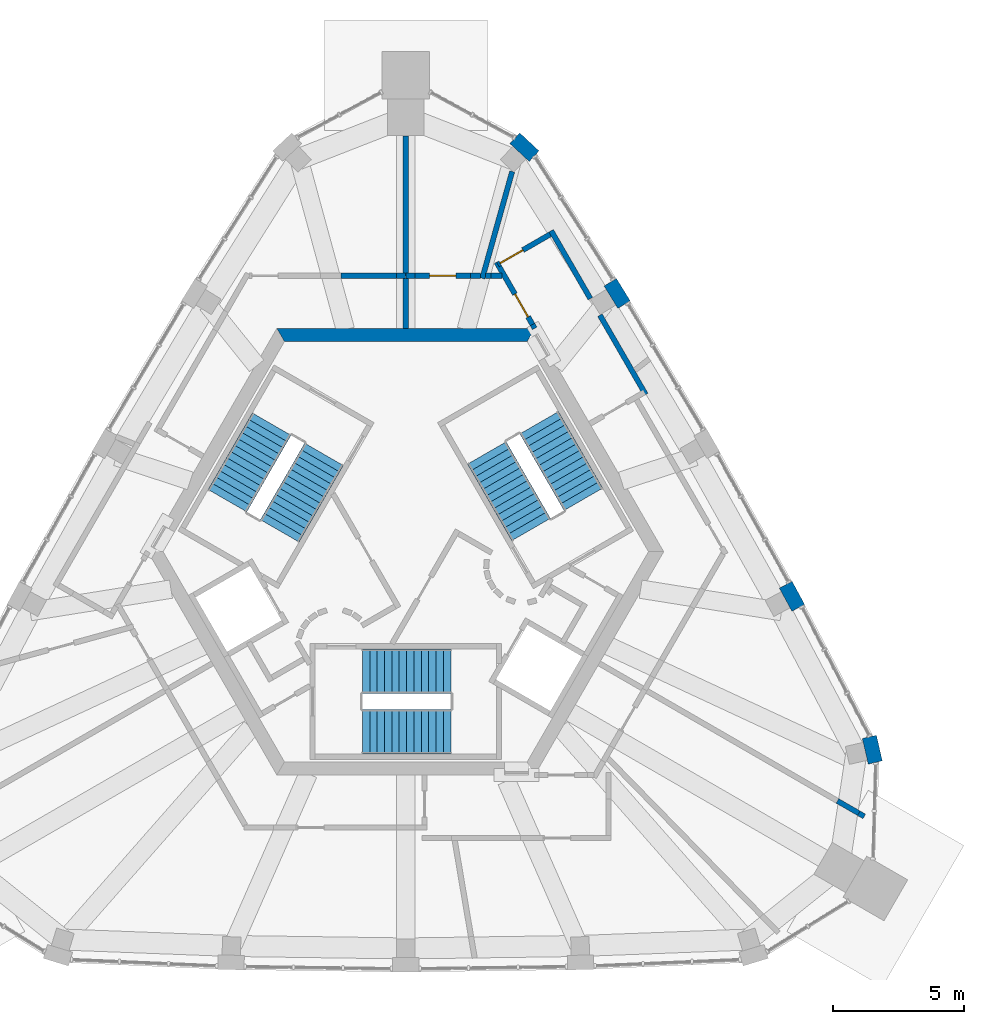
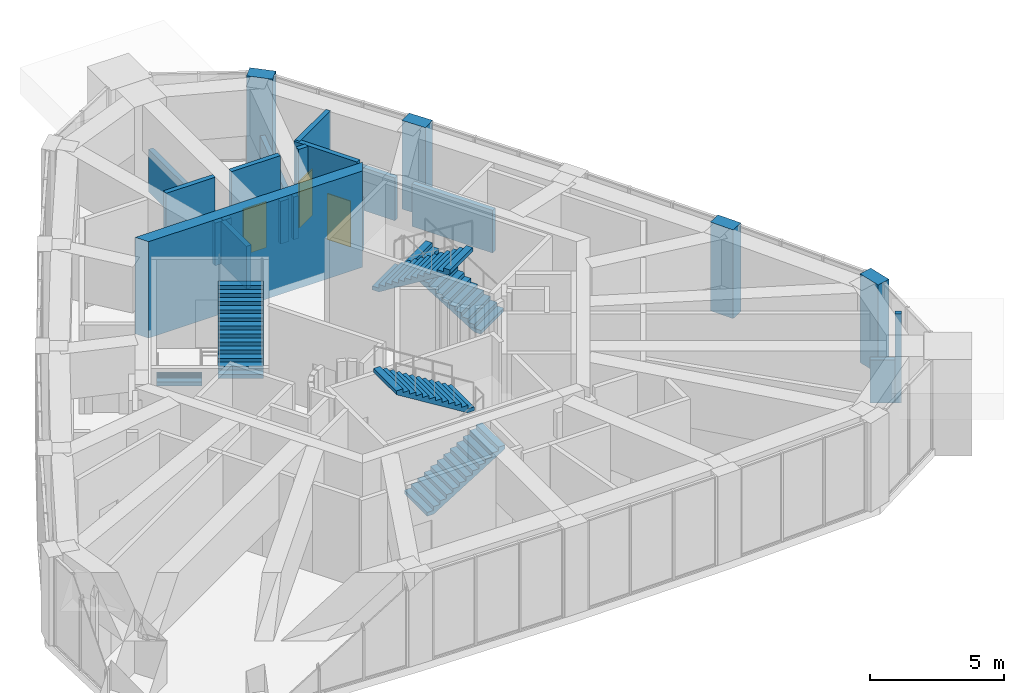
# One storey, part 10 of 11: 22 walls, 6 stair flights, 3 doors, 3 openings, 3 elements without a shape of their own.
"""IFC4 building model written with IfcOpenShell, lengths in metres."""

import ifcopenshell
import ifcopenshell.guid

model = None  # the IFC model being written
_history = None  # IfcOwnerHistory: only IFC2X3 demands one
_inside = {}  # id of a spatial element -> (the spatial element, [elements in it])
_under = {}  # id of a project, library or spatial element -> (it, [spatial elements below it])
_declared = {}  # id of a project -> (the project, [libraries it declares])
_typed = {}  # id of a type object -> (the type object, [elements of that type])
_made_of = {}  # id of a material, layer set ... -> (it, [elements and type objects made of it])


def new_model(schema):
    """Start an empty IFC model of exactly this schema.

    Asked for "IFC4X3", IfcOpenShell would pick the latest addendum, in which some entities
    have other attributes; the version numbers below select the first issue.
    IFC2X3 requires an IfcOwnerHistory on every rooted entity: one is made here for all.
    """
    global model, _history
    if schema == "IFC4X3":
        model = ifcopenshell.file(schema_version=(4, 3, 0, 0))
    else:
        model = ifcopenshell.file(schema=schema)
    _inside.clear()
    _under.clear()
    _declared.clear()
    _typed.clear()
    _made_of.clear()
    _history = None
    if model.schema == "IFC2X3":
        org = make("IfcOrganization", Name="unknown")
        user = make(
            "IfcPersonAndOrganization",
            ThePerson=make("IfcPerson", FamilyName="unknown"),
            TheOrganization=org,
        )
        app = make(
            "IfcApplication",
            ApplicationDeveloper=org,
            Version="unknown",
            ApplicationFullName="unknown",
            ApplicationIdentifier="unknown",
        )
        _history = make(
            "IfcOwnerHistory",
            OwningUser=user,
            OwningApplication=app,
            ChangeAction="ADDED",
            CreationDate=0,
        )
    return model


def make(cls, **values):
    """One entity of the class cls with the attributes given. An attribute that is None is left unset."""
    return model.create_entity(
        cls, **{name: value for name, value in values.items() if value is not None}
    )


def rooted(cls, **values):
    """An entity with a GlobalId (a new one), such as an element, a storey or a relation."""
    return make(cls, GlobalId=ifcopenshell.guid.new(), OwnerHistory=_history, **values)


def si_unit(unit_type, name, prefix=None):
    """IfcSIUnit, for example si_unit("LENGTHUNIT", "METRE", prefix="MILLI")."""
    return make("IfcSIUnit", UnitType=unit_type, Prefix=prefix, Name=name)


def assignment(units):
    """IfcUnitAssignment: the units of a project."""
    return None if units is None else make("IfcUnitAssignment", Units=units)


def point(xyz):
    """IfcCartesianPoint."""
    return None if xyz is None else make("IfcCartesianPoint", Coordinates=xyz)


def direction(xyz):
    """IfcDirection."""
    return None if xyz is None else make("IfcDirection", DirectionRatios=xyz)


def frame(location, z_axis=None, x_axis=None):
    """IfcAxis2Placement3D, a coordinate frame: its origin and axes. An axis left out is left unset."""
    return make(
        "IfcAxis2Placement3D",
        Location=point(location),
        Axis=direction(z_axis),
        RefDirection=direction(x_axis),
    )


def frame_2d(location, x_axis=None):
    """IfcAxis2Placement2D, a coordinate frame in the plane: its origin and x axis."""
    return make(
        "IfcAxis2Placement2D", Location=point(location), RefDirection=direction(x_axis)
    )


def origin():
    """The frame at (0, 0, 0) with its axes left unset."""
    return frame((0.0, 0.0, 0.0))


def place(relative_to, where):
    """IfcLocalPlacement: puts the frame where relative to a parent placement (None: the world)."""
    return make(
        "IfcLocalPlacement", PlacementRelTo=relative_to, RelativePlacement=where
    )


def context(
    kind, dimensions, precision=None, world=None, true_north=None, identifier=None
):
    """IfcGeometricRepresentationContext, for example the 3D "Model" context."""
    return make(
        "IfcGeometricRepresentationContext",
        ContextIdentifier=identifier,
        ContextType=kind,
        CoordinateSpaceDimension=dimensions,
        Precision=precision,
        WorldCoordinateSystem=world,
        TrueNorth=true_north,
    )


def subcontext(parent, identifier, kind, view, scale=None):
    """IfcGeometricRepresentationSubContext, for example "Body" below "Model"."""
    return make(
        "IfcGeometricRepresentationSubContext",
        ContextIdentifier=identifier,
        ContextType=kind,
        ParentContext=parent,
        TargetScale=scale,
        TargetView=view,
    )


def project(units=None, contexts=None):
    """IfcProject with its units and contexts."""
    return rooted(
        "IfcProject",
        Name="project",
        RepresentationContexts=contexts,
        UnitsInContext=assignment(units),
    )


def spatial(cls, under=None, at=None, **own):
    """A site, building, storey or space (cls), placed at a placement, below another one or the project."""
    s = rooted(cls, ObjectPlacement=at, **own)
    if under is not None:
        _under.setdefault(under.id(), (under, []))[1].append(s)
    return s


def polyline(points):
    """IfcPolyline through the points."""
    return make("IfcPolyline", Points=[point(p) for p in points])


def profile(cls, at=None, kind="AREA", **sizes):
    """A parametric profile (cls). Its sizes go by their IFC names, for example OverallWidth=200.0."""
    return make(cls, ProfileType=kind, Position=at, **sizes)


def rectangle(**sizes):
    """IfcRectangleProfileDef."""
    return profile("IfcRectangleProfileDef", **sizes)


def outline(outer, holes=None, kind="AREA"):
    """IfcArbitraryClosedProfileDef: a profile drawn as a closed curve; with holes, ...WithVoids."""
    if holes is None:
        return make("IfcArbitraryClosedProfileDef", ProfileType=kind, OuterCurve=outer)
    return make(
        "IfcArbitraryProfileDefWithVoids",
        ProfileType=kind,
        OuterCurve=outer,
        InnerCurves=holes,
    )


def extrude(swept, where, along, depth):
    """IfcExtrudedAreaSolid: the profile swept, set in the frame where, extruded along a direction by depth."""
    return make(
        "IfcExtrudedAreaSolid",
        SweptArea=swept,
        Position=where,
        ExtrudedDirection=direction(along),
        Depth=depth,
    )


def shape(context_of_items, identifier, shape_type, items):
    """IfcShapeRepresentation: the items that make up one representation, for example the "Body"."""
    return make(
        "IfcShapeRepresentation",
        ContextOfItems=context_of_items,
        RepresentationIdentifier=identifier,
        RepresentationType=shape_type,
        Items=items,
    )


def material(Name=None, Category=None):
    """IfcMaterial."""
    return make("IfcMaterial", Name=Name, Category=Category)


def layer(
    of_material, thickness, ventilated=None, Name=None, Category=None, Priority=None
):
    """IfcMaterialLayer: one layer of a wall or slab, of a material (None: an air gap)."""
    return make(
        "IfcMaterialLayer",
        Material=of_material,
        LayerThickness=thickness,
        IsVentilated=ventilated,
        Name=Name,
        Category=Category,
        Priority=Priority,
    )


def layer_set(layers, Name=None):
    """IfcMaterialLayerSet."""
    return make("IfcMaterialLayerSet", MaterialLayers=layers, LayerSetName=Name)


def made_of(thing, what):
    """Note that an element or type object is made of a material, layer set ...; save() writes the relation."""
    if what is not None:
        _made_of.setdefault(what.id(), (what, []))[1].append(thing)
    return thing


def type_object(cls, material=None, **own):
    """A type object (cls), such as IfcWallType, which elements share."""
    return made_of(rooted(cls, **own), material)


def element(
    cls,
    number,
    at=None,
    inside=None,
    cuts=None,
    type_object=None,
    material=None,
    context=None,
    identifier="Body",
    shape_type=None,
    held_by="IfcProductDefinitionShape",
    body=None,
    shapes=None,
    **own,
):
    """One element of the class cls, such as IfcWall. Its Tag is "e" and its number.

    at: its placement. inside: the storey or other place that contains it. cuts: it is an
    opening in that element (IfcRelVoidsElement). A single representation is given by context,
    identifier, shape_type and body (its items); several are given by shapes. held_by: the class
    of the entity that holds the representations. save() writes the other relations.
    """
    e = rooted(cls, Tag="e%d" % number, ObjectPlacement=at, **own)
    if body is not None:
        shapes = [shape(context, identifier, shape_type, body)]
    if shapes is not None:
        e.Representation = make(held_by, Representations=shapes)
    if inside is not None:
        _inside.setdefault(inside.id(), (inside, []))[1].append(e)
    if cuts is not None:
        rooted(
            "IfcRelVoidsElement", RelatingBuildingElement=cuts, RelatedOpeningElement=e
        )
    if type_object is not None:
        _typed.setdefault(type_object.id(), (type_object, []))[1].append(e)
    return made_of(e, material)


def fill(opening, filler):
    """IfcRelFillsElement: the door or window that sits in an opening."""
    return rooted(
        "IfcRelFillsElement",
        RelatingOpeningElement=opening,
        RelatedBuildingElement=filler,
    )


def aggregate(whole, parts):
    """IfcRelAggregates: a whole, such as a stair, and the parts it consists of."""
    return rooted("IfcRelAggregates", RelatingObject=whole, RelatedObjects=parts)


def save(model, path):
    """Write the relations noted so far, then the file.

    IfcRelAggregates (storeys below a building ...), IfcRelContainedInSpatialStructure (elements
    in a storey), IfcRelDefinesByType, IfcRelAssociatesMaterial and IfcRelDeclares: one each for
    every whole, place, type object, material and project.
    """
    for whole, parts in _under.values():
        aggregate(whole, parts)
    for where, things in _inside.values():
        rooted(
            "IfcRelContainedInSpatialStructure",
            RelatedElements=things,
            RelatingStructure=where,
        )
    for kind, things in _typed.values():
        rooted("IfcRelDefinesByType", RelatedObjects=things, RelatingType=kind)
    for what, things in _made_of.values():
        rooted("IfcRelAssociatesMaterial", RelatedObjects=things, RelatingMaterial=what)
    for by, libraries in _declared.values():
        rooted("IfcRelDeclares", RelatingContext=by, RelatedDefinitions=libraries)
    model.write(path)


model = new_model("IFC4")

# Units and contexts
model_context = context("Model", 3, precision=1e-05, world=origin(), true_north=direction((0.0, 1.0)))
body_context = subcontext(model_context, "Body", "Model", "MODEL_VIEW")
ifc_project = project(units=[si_unit("LENGTHUNIT", "METRE"), si_unit("AREAUNIT", "SQUARE_METRE"), si_unit("VOLUMEUNIT", "CUBIC_METRE"), si_unit("PLANEANGLEUNIT", "RADIAN"), si_unit("MASSUNIT", "GRAM", prefix="KILO")], contexts=[model_context])

# Site, building, storey
site_placement = place(None, origin())
site = spatial("IfcSite", under=ifc_project, at=site_placement, CompositionType="ELEMENT")
building_placement = place(site_placement, origin())
building = spatial("IfcBuilding", under=site, at=building_placement, Name="Entoto Arch Interchange Tower", CompositionType="ELEMENT")
storey_placement = place(building_placement, frame((0.0, 0.0, 353.89990234375)))
storey = spatial("IfcBuildingStorey", under=building, at=storey_placement, Name="L83", CompositionType="ELEMENT", Elevation=353.89990234375)

# Walls
ifc_material_1 = material(Name="Concrete C40/50", Category="concrete")
ifc_layer_1 = layer(ifc_material_1, 0.5)
ifc_layer_set_1 = layer_set([ifc_layer_1], Name="Concrete C40/50")
wall_type_1 = type_object("IfcWallType", Name="Core wall 500 C40/50", PredefinedType="SHEAR", material=ifc_layer_set_1)
wall_1_placement = place(storey_placement, frame((0.0, 0.0, -0.349853515625)))
element("IfcWall", 1, at=wall_1_placement, inside=storey, type_object=wall_type_1, Name="Core wall N L83", PredefinedType="SHEAR", context=body_context, shape_type="SweptSolid", body=[
    extrude(outline(polyline([(4.906982421875, 11.0), (-4.906982421875, 11.0), (-4.618896484375, 10.5), (4.618896484375, 10.5), (4.906982421875, 11.0)])), origin(), (0.0, 0.0, 1.0), 4.39990234375),
])
ifc_material_2 = material(Name="Gypsum board partition on steel studs", Category="steel")
ifc_layer_2 = layer(ifc_material_2, 0.199951171875)
ifc_layer_set_2 = layer_set([ifc_layer_2], Name="Gypsum board partition on steel studs")
wall_type_2 = type_object("IfcWallType", Name="PARTITION 200", PredefinedType="PARTITIONING", material=ifc_layer_set_2)
wall_2_placement = place(storey_placement, frame((4.906982421875, 11.0, 0.0), z_axis=(0.0, 0.0, 1.0), x_axis=(-0.5004692653, 0.865754303766, 0.0)))
element("IfcWall", 2, at=wall_2_placement, inside=storey, type_object=wall_type_2, Name="wall:L83:p043", PredefinedType="PARTITIONING", context=body_context, shape_type="SweptSolid", body=[
    extrude(rectangle(XDim=0.169677734375, YDim=0.199951171875, at=frame_2d((0.0849609375, 0.0))), origin(), (0.0, 0.0, 1.0), 2.400146484375),
])
wall_3_placement = place(storey_placement, frame((5.531982421875, 14.717041015625, 0.0), z_axis=(0.0, 0.0, 1.0), x_axis=(0.499916141899, -0.866073813868, 0.0)))
element("IfcWall", 3, at=wall_3_placement, inside=storey, type_object=wall_type_2, Name="wall:L83:p044", PredefinedType="PARTITIONING", context=body_context, shape_type="SweptSolid", body=[
    extrude(rectangle(XDim=2.982421875, YDim=0.199951171875, at=frame_2d((1.4912109375, 0.0))), origin(), (0.0, 0.0, 1.0), 1.9501953125),
])
wall_4_placement = place(storey_placement, frame((7.387939453125, 11.501953125, 0.0), z_axis=(0.0, 0.0, 1.0), x_axis=(0.499993059066, -0.866029411098, 0.0)))
element("IfcWall", 4, at=wall_4_placement, inside=storey, type_object=wall_type_2, Name="wall:L83:p045", PredefinedType="PARTITIONING", context=body_context, shape_type="SweptSolid", body=[
    extrude(rectangle(XDim=3.48828125, YDim=0.199951171875, at=frame_2d((1.744140625, 0.0))), origin(), (0.0, 0.0, 1.0), 1.9501953125),
])

# Wall, opening, door
wall_5_placement = place(storey_placement, frame((3.50390625, 13.429931640625, 0.0), z_axis=(0.0, 0.0, 1.0), x_axis=(0.865927408828, 0.500169693844, 0.0)))
wall_5 = element("IfcWall", 5, at=wall_5_placement, inside=storey, type_object=wall_type_2, Name="wall:L83:p046", PredefinedType="PARTITIONING", context=body_context, shape_type="SweptSolid", body=[
    extrude(rectangle(XDim=2.299560546875, YDim=0.199951171875, at=frame_2d((1.14990234375, 0.0))), origin(), (0.0, 0.0, 1.0), 4.050048828125),
])
opening_1_placement = place(wall_5_placement, frame((0.10009765625, 0.0, 0.0)))
opening_1 = element("IfcOpeningElement", 6, at=opening_1_placement, cuts=wall_5, Name="Opening L83-D08", PredefinedType="OPENING", context=body_context, shape_type="SweptSolid", body=[
    extrude(rectangle(XDim=1.0, YDim=2.10009765625, at=frame_2d((0.5, 1.050048828125))), frame((0.0, 0.10986328125, 0.0), z_axis=(0.0, -1.0, 0.0), x_axis=(1.0, 0.0, 0.0)), (0.0, 0.0, 1.0), 0.219970703125),
])
ifc_material_3 = material(Name="Fire-rated Steel S235 door and frame", Category="steel")
door_type = type_object("IfcDoorType", Name="DOOR FD-10 1000x2100", OperationType="SINGLE_SWING_LEFT", PredefinedType="DOOR", material=ifc_material_3)
door_1_placement = place(opening_1_placement, origin())
door_1 = element("IfcDoor", 7, at=door_1_placement, inside=storey, type_object=door_type, Name="door:L83:08", OperationType="SINGLE_SWING_LEFT", OverallHeight=2.10009765625, OverallWidth=1.0, PredefinedType="DOOR", context=body_context, shape_type="SweptSolid", body=[
    extrude(rectangle(XDim=1.0, YDim=2.10009765625, at=frame_2d((0.5, 1.050048828125))), frame((0.0, 0.02490234375, 0.0), z_axis=(0.0, -1.0, 0.0), x_axis=(1.0, 0.0, 0.0)), (0.0, 0.0, 1.0), 0.050048828125),
])
fill(opening_1, door_1)

# Walls
wall_6_placement = place(storey_placement, frame((3.0380859375, 13.0, 0.0), z_axis=(0.0, 0.0, 1.0), x_axis=(1.0, 0.0, 0.0)))
element("IfcWall", 8, at=wall_6_placement, inside=storey, type_object=wall_type_2, Name="wall:L83:p049", PredefinedType="PARTITIONING", context=body_context, shape_type="SweptSolid", body=[
    extrude(rectangle(XDim=0.208984375, YDim=0.199951171875, at=frame_2d((0.1044921875, 0.0))), origin(), (0.0, 0.0, 1.0), 1.9501953125),
])
wall_7_placement = place(storey_placement, frame((0.014892578125, 13.0, 0.0), z_axis=(0.0, 0.0, 1.0), x_axis=(1.0, 0.0, 0.0)))
element("IfcWall", 9, at=wall_7_placement, inside=storey, type_object=wall_type_2, Name="wall:L83:p050", PredefinedType="PARTITIONING", context=body_context, shape_type="SweptSolid", body=[
    extrude(rectangle(XDim=0.335205078125, YDim=0.199951171875, at=frame_2d((0.16748046875, 0.0))), origin(), (0.0, 0.0, 1.0), 1.9501953125),
])
wall_8_placement = place(storey_placement, frame((0.0, 11.0, 0.0), z_axis=(0.0, 0.0, 1.0), x_axis=(0.0, 1.0, 0.0)))
element("IfcWall", 10, at=wall_8_placement, inside=storey, type_object=wall_type_2, Name="wall:L83:p051", PredefinedType="PARTITIONING", context=body_context, shape_type="SweptSolid", body=[
    extrude(rectangle(XDim=1.89990234375, YDim=0.199951171875, at=frame_2d((0.949951171875, 0.0))), origin(), (0.0, 0.0, 1.0), 1.9501953125),
])
wall_9_placement = place(storey_placement, frame((2.910888671875, 12.904052734375, 0.0), z_axis=(0.0, 0.0, 1.0), x_axis=(0.269509843473, 0.962997634614, 0.0)))
element("IfcWall", 11, at=wall_9_placement, inside=storey, type_object=wall_type_2, Name="wall:L83:p053", PredefinedType="PARTITIONING", context=body_context, shape_type="SweptSolid", body=[
    extrude(rectangle(XDim=4.22314453125, YDim=0.199951171875, at=frame_2d((2.111572265625, 0.0))), origin(), (0.0, 0.0, 1.0), 1.9501953125),
])
wall_10_placement = place(storey_placement, frame((0.0, 13.0, 0.0), z_axis=(0.0, 0.0, 1.0), x_axis=(0.0, 1.0, 0.0)))
element("IfcWall", 12, at=wall_10_placement, inside=storey, type_object=wall_type_2, Name="wall:L83:p054", PredefinedType="PARTITIONING", context=body_context, shape_type="SweptSolid", body=[
    extrude(rectangle(XDim=5.31689453125, YDim=0.199951171875, at=frame_2d((2.658447265625, 0.0))), origin(), (0.0, 0.0, 1.0), 1.9501953125),
])
wall_11_placement = place(storey_placement, frame((16.429931640625, -6.986083984375, 0.0), z_axis=(0.0, 0.0, 1.0), x_axis=(0.865942754999, -0.50014312458, 0.0)))
element("IfcWall", 13, at=wall_11_placement, inside=storey, type_object=wall_type_2, Name="wall:L83:p041", PredefinedType="PARTITIONING", context=body_context, shape_type="SweptSolid", body=[
    extrude(rectangle(XDim=0.937744140625, YDim=0.199951171875, at=frame_2d((0.46875, 0.0))), origin(), (0.0, 0.0, 1.0), 1.9501953125),
])
wall_12_placement = place(storey_placement, frame((17.241943359375, -7.455078125, 0.0), z_axis=(0.0, 0.0, 1.0), x_axis=(0.866422508423, -0.499311562953, 0.0)))
element("IfcWall", 14, at=wall_12_placement, inside=storey, type_object=wall_type_2, Name="wall:L83:p041", PredefinedType="PARTITIONING", context=body_context, shape_type="SweptSolid", body=[
    extrude(rectangle(XDim=0.239990234375, YDim=0.199951171875, at=frame_2d((0.1201171875, 0.0))), origin(), (0.0, 0.0, 1.0), 4.050048828125),
])

# Wall, opening, door
wall_13_placement = place(storey_placement, frame((4.822021484375, 11.14697265625, 0.0), z_axis=(0.0, 0.0, 1.0), x_axis=(-0.499871764879, 0.866099427708, 0.0)))
wall_13 = element("IfcWall", 15, at=wall_13_placement, inside=storey, type_object=wall_type_2, Name="wall:L83:p043", PredefinedType="PARTITIONING", context=body_context, shape_type="SweptSolid", body=[
    extrude(rectangle(XDim=2.736572265625, YDim=0.199951171875, at=frame_2d((1.3681640625, 0.0))), origin(), (0.0, 0.0, 1.0), 4.050048828125),
])
opening_2_placement = place(wall_13_placement, frame((0.3349609375, 0.0, 0.0)))
opening_2 = element("IfcOpeningElement", 16, at=opening_2_placement, cuts=wall_13, Name="Opening L83-D07", PredefinedType="OPENING", context=body_context, shape_type="SweptSolid", body=[
    extrude(rectangle(XDim=1.0, YDim=2.10009765625, at=frame_2d((0.5, 1.050048828125))), frame((0.0, 0.10986328125, 0.0), z_axis=(0.0, -1.0, 0.0), x_axis=(1.0, 0.0, 0.0)), (0.0, 0.0, 1.0), 0.219970703125),
])
door_2_placement = place(opening_2_placement, origin())
door_2 = element("IfcDoor", 17, at=door_2_placement, inside=storey, type_object=door_type, Name="door:L83:07", OperationType="SINGLE_SWING_RIGHT", OverallHeight=2.10009765625, OverallWidth=1.0, PredefinedType="DOOR", context=body_context, shape_type="SweptSolid", body=[
    extrude(rectangle(XDim=1.0, YDim=2.10009765625, at=frame_2d((0.5, 1.050048828125))), frame((0.0, 0.02490234375, 0.0), z_axis=(0.0, -1.0, 0.0), x_axis=(1.0, 0.0, 0.0)), (0.0, 0.0, 1.0), 0.050048828125),
])
fill(opening_2, door_2)

# Wall
wall_14_placement = place(storey_placement, frame((3.2470703125, 13.0, 0.0), z_axis=(0.0, 0.0, 1.0), x_axis=(1.0, 0.0, 0.0)))
element("IfcWall", 18, at=wall_14_placement, inside=storey, type_object=wall_type_2, Name="wall:L83:p049", PredefinedType="PARTITIONING", context=body_context, shape_type="SweptSolid", body=[
    extrude(rectangle(XDim=0.405029296875, YDim=0.199951171875, at=frame_2d((0.20263671875, 0.0))), origin(), (0.0, 0.0, 1.0), 4.050048828125),
])

# Wall, opening, door
wall_15_placement = place(storey_placement, frame((0.35009765625, 13.0, 0.0), z_axis=(0.0, 0.0, 1.0), x_axis=(1.0, 0.0, 0.0)))
wall_15 = element("IfcWall", 19, at=wall_15_placement, inside=storey, type_object=wall_type_2, Name="wall:L83:p050", PredefinedType="PARTITIONING", context=body_context, shape_type="SweptSolid", body=[
    extrude(rectangle(XDim=2.116943359375, YDim=0.199951171875, at=frame_2d((1.05859375, 0.0))), origin(), (0.0, 0.0, 1.0), 4.050048828125),
])
opening_3_placement = place(wall_15_placement, frame((0.55908203125, 0.0, 0.0)))
opening_3 = element("IfcOpeningElement", 20, at=opening_3_placement, cuts=wall_15, Name="Opening L83-D10", PredefinedType="OPENING", context=body_context, shape_type="SweptSolid", body=[
    extrude(rectangle(XDim=1.0, YDim=2.10009765625, at=frame_2d((0.5, 1.050048828125))), frame((0.0, 0.10986328125, 0.0), z_axis=(0.0, -1.0, 0.0), x_axis=(1.0, 0.0, 0.0)), (0.0, 0.0, 1.0), 0.219970703125),
])
door_3_placement = place(opening_3_placement, origin())
door_3 = element("IfcDoor", 21, at=door_3_placement, inside=storey, type_object=door_type, Name="door:L83:10", OperationType="SINGLE_SWING_LEFT", OverallHeight=2.10009765625, OverallWidth=1.0, PredefinedType="DOOR", context=body_context, shape_type="SweptSolid", body=[
    extrude(rectangle(XDim=1.0, YDim=2.10009765625, at=frame_2d((0.5, 1.050048828125))), frame((0.0, 0.02490234375, 0.0), z_axis=(0.0, -1.0, 0.0), x_axis=(1.0, 0.0, 0.0)), (0.0, 0.0, 1.0), 0.050048828125),
])
fill(opening_3, door_3)

# Walls
wall_16_placement = place(storey_placement, frame((2.467041015625, 13.0, 0.0), z_axis=(0.0, 0.0, 1.0), x_axis=(1.0, 0.0, 0.0)))
element("IfcWall", 22, at=wall_16_placement, inside=storey, type_object=wall_type_2, Name="wall:L83:p050", PredefinedType="PARTITIONING", context=body_context, shape_type="SweptSolid", body=[
    extrude(rectangle(XDim=0.370849609375, YDim=0.199951171875, at=frame_2d((0.185546875, 0.0))), origin(), (0.0, 0.0, 1.0), 1.9501953125),
])
wall_17_placement = place(storey_placement, frame((-2.467041015625, 13.0, 0.0), z_axis=(0.0, 0.0, 1.0), x_axis=(1.0, 0.0, 0.0)))
element("IfcWall", 23, at=wall_17_placement, inside=storey, type_object=wall_type_2, Name="wall:L83:p062", PredefinedType="PARTITIONING", context=body_context, shape_type="SweptSolid", body=[
    extrude(rectangle(XDim=2.116943359375, YDim=0.199951171875, at=frame_2d((1.05859375, 0.0))), origin(), (0.0, 0.0, 1.0), 4.050048828125),
])
wall_18_placement = place(storey_placement, frame((-0.35009765625, 13.0, 0.0), z_axis=(0.0, 0.0, 1.0), x_axis=(1.0, 0.0, 0.0)))
element("IfcWall", 24, at=wall_18_placement, inside=storey, type_object=wall_type_2, Name="wall:L83:p062", PredefinedType="PARTITIONING", context=body_context, shape_type="SweptSolid", body=[
    extrude(rectangle(XDim=0.335205078125, YDim=0.199951171875, at=frame_2d((0.16748046875, 0.0))), origin(), (0.0, 0.0, 1.0), 1.9501953125),
])
ifc_material_4 = material(Name="Welded tuff (ignimbrite) cladding, warm buff", Category="masonry")
ifc_layer_3 = layer(ifc_material_4, 0.550048828125)
ifc_layer_set_3 = layer_set([ifc_layer_3], Name="Welded tuff (ignimbrite) cladding, warm buff")
wall_type_3 = type_object("IfcWallType", Name="STONE PIER CLADDING 550", PredefinedType="STANDARD", material=ifc_layer_set_3)
wall_19_placement = place(storey_placement, frame((17.867919921875, -5.52294921875, 0.0), z_axis=(0.0, 0.0, 1.0), x_axis=(-0.223825449309, 0.974629246556, 0.0)))
element("IfcWall", 25, at=wall_19_placement, inside=storey, type_object=wall_type_3, Name="Stone pier NE01 L83", PredefinedType="STANDARD", context=body_context, shape_type="SweptSolid", body=[
    extrude(rectangle(XDim=1.000244140625, YDim=0.550048828125, at=frame_2d((0.5, 0.0))), origin(), (0.0, 0.0, 1.0), 4.050048828125),
])
wall_20_placement = place(storey_placement, frame((14.93701171875, 0.362060546875, 0.0), z_axis=(0.0, 0.0, 1.0), x_axis=(-0.475874292304, 0.879513307417, 0.0)))
element("IfcWall", 26, at=wall_20_placement, inside=storey, type_object=wall_type_3, Name="Stone pier NE02 L83", PredefinedType="STANDARD", context=body_context, shape_type="SweptSolid", body=[
    extrude(rectangle(XDim=1.00048828125, YDim=0.550048828125, at=frame_2d((0.500244140625, 0.0))), origin(), (0.0, 0.0, 1.0), 4.050048828125),
])
for number, where, z_axis, x_axis, name in (
    (27, (8.305908203125, 11.903076171875, 0.0), (0.0, 0.0, 1.0), (-0.523906717346, 0.851775646235, 0.0), "Stone pier NE04 L83"),
    (28, (4.882080078125, 17.553955078125, 0.0), (0.0, 0.0, 1.0), (-0.731217625008, 0.682144255182, 0.0), "Stone pier NE05 L83"),
):
    element("IfcWall", number, at=place(storey_placement, frame(where, z_axis=z_axis, x_axis=x_axis)), inside=storey, type_object=wall_type_3, Name=name, PredefinedType="STANDARD", context=body_context, shape_type="SweptSolid", body=[
        extrude(rectangle(XDim=1.0, YDim=0.550048828125, at=frame_2d((0.5, 0.0))), origin(), (0.0, 0.0, 1.0), 4.050048828125),
    ])

# Stair, stair flights
stair_type = type_object("IfcStairType", Name="EXIT STAIR RC 1700", PredefinedType="HALF_TURN_STAIR", material=ifc_material_1)
stair_1_placement = place(storey_placement, origin())
stair_1 = element("IfcStair", 29, at=stair_1_placement, inside=storey, type_object=stair_type, Name="L83 Exit stair S", PredefinedType="HALF_TURN_STAIR")
stair_flight_type = type_object("IfcStairFlightType", Name="EXIT STAIR FLIGHT RC 1700", PredefinedType="STRAIGHT", material=ifc_material_1)
stair_flight_1_placement = place(storey_placement, frame((-1.64990234375, -4.35009765625, 0.0), z_axis=(0.0, 0.0, 1.0), x_axis=(1.0, 0.0, 0.0)))
stair_flight_1 = element("IfcStairFlight", 30, at=stair_flight_1_placement, type_object=stair_flight_type, Name="ST-S flight 1", NumberOfRisers=13, NumberOfTreads=12, PredefinedType="STRAIGHT", RiserHeight=0.173076923, TreadLength=0.28, context=body_context, shape_type="SweptSolid", body=[
    extrude(outline(polyline([(-0.0029296875, 0.0), (-0.0029296875, 0.173095703125), (0.280029296875, 0.173095703125), (0.280029296875, 0.34619140625), (0.56005859375, 0.34619140625), (0.56005859375, 0.519287109375), (0.840087890625, 0.519287109375), (0.840087890625, 0.6923828125), (1.1201171875, 0.6923828125), (1.1201171875, 0.865478515625), (1.39990234375, 0.865478515625), (1.39990234375, 1.03857421875), (1.679931640625, 1.03857421875), (1.679931640625, 1.21142578125), (1.9599609375, 1.21142578125), (1.9599609375, 1.384521484375), (2.239990234375, 1.384521484375), (2.239990234375, 1.5576171875), (2.52001953125, 1.5576171875), (2.52001953125, 1.730712890625), (2.800048828125, 1.730712890625), (2.800048828125, 1.90380859375), (3.080078125, 1.90380859375), (3.080078125, 2.076904296875), (3.360107421875, 2.076904296875), (3.363037109375, 2.076904296875), (3.363037109375, 1.902587890625), (0.28515625, 0.0), (-0.0029296875, 0.0)])), frame((0.0, 0.85009765625, 0.0), z_axis=(0.0, -1.0, 0.0), x_axis=(1.0, 0.0, 0.0)), (0.0, 0.0, 1.0), 1.699951171875),
])
stair_flight_2_placement = place(storey_placement, frame((1.7099609375, -2.050048828125, 2.25), z_axis=(0.0, 0.0, 1.0), x_axis=(-1.0, 0.0, 0.0)))
stair_flight_2 = element("IfcStairFlight", 31, at=stair_flight_2_placement, type_object=stair_flight_type, Name="ST-S flight 2", NumberOfRisers=13, NumberOfTreads=12, PredefinedType="STRAIGHT", RiserHeight=0.173076923, TreadLength=0.28, context=body_context, shape_type="SweptSolid", body=[
    extrude(outline(polyline([(-0.0029296875, 0.0), (-0.0029296875, 0.173095703125), (0.280029296875, 0.173095703125), (0.280029296875, 0.34619140625), (0.56005859375, 0.34619140625), (0.56005859375, 0.519287109375), (0.840087890625, 0.519287109375), (0.840087890625, 0.6923828125), (1.1201171875, 0.6923828125), (1.1201171875, 0.865478515625), (1.39990234375, 0.865478515625), (1.39990234375, 1.03857421875), (1.679931640625, 1.03857421875), (1.679931640625, 1.21142578125), (1.9599609375, 1.21142578125), (1.9599609375, 1.384521484375), (2.239990234375, 1.384521484375), (2.239990234375, 1.5576171875), (2.52001953125, 1.5576171875), (2.52001953125, 1.730712890625), (2.800048828125, 1.730712890625), (2.800048828125, 1.90380859375), (3.080078125, 1.90380859375), (3.080078125, 2.076904296875), (3.360107421875, 2.076904296875), (3.363037109375, 2.076904296875), (3.363037109375, 1.902587890625), (0.28515625, 0.0), (-0.0029296875, 0.0)])), frame((0.0, 0.85009765625, 0.0), z_axis=(0.0, -1.0, 0.0), x_axis=(1.0, 0.0, 0.0)), (0.0, 0.0, 1.0), 1.699951171875),
])
aggregate(stair_1, [stair_flight_1, stair_flight_2])

stair_2_placement = place(storey_placement, origin())
stair_2 = element("IfcStair", 32, at=stair_2_placement, inside=storey, type_object=stair_type, Name="L83 Exit stair NE", PredefinedType="HALF_TURN_STAIR")
stair_flight_3_placement = place(storey_placement, frame((6.75732421875, 4.49609375, 0.0), z_axis=(0.0, 0.0, 1.0), x_axis=(-0.5, 0.866025403784, 0.0)))
stair_flight_3 = element("IfcStairFlight", 33, at=stair_flight_3_placement, type_object=stair_flight_type, Name="ST-NE flight 1", NumberOfRisers=13, NumberOfTreads=12, PredefinedType="STRAIGHT", RiserHeight=0.173076923, TreadLength=0.28, context=body_context, shape_type="SweptSolid", body=[
    extrude(outline(polyline([(-0.0029296875, 0.0), (-0.0029296875, 0.173095703125), (0.280029296875, 0.173095703125), (0.280029296875, 0.34619140625), (0.56005859375, 0.34619140625), (0.56005859375, 0.519287109375), (0.840087890625, 0.519287109375), (0.840087890625, 0.6923828125), (1.1201171875, 0.6923828125), (1.1201171875, 0.865478515625), (1.39990234375, 0.865478515625), (1.39990234375, 1.03857421875), (1.679931640625, 1.03857421875), (1.679931640625, 1.21142578125), (1.9599609375, 1.21142578125), (1.9599609375, 1.384521484375), (2.239990234375, 1.384521484375), (2.239990234375, 1.5576171875), (2.52001953125, 1.5576171875), (2.52001953125, 1.730712890625), (2.800048828125, 1.730712890625), (2.800048828125, 1.90380859375), (3.080078125, 1.90380859375), (3.080078125, 2.076904296875), (3.360107421875, 2.076904296875), (3.363037109375, 2.076904296875), (3.363037109375, 1.902587890625), (0.28515625, 0.0), (-0.0029296875, 0.0)])), frame((0.0, 0.85009765625, 0.0), z_axis=(0.0, -1.0, 0.0), x_axis=(1.0, 0.0, 0.0)), (0.0, 0.0, 1.0), 1.699951171875),
])
stair_flight_4_placement = place(storey_placement, frame((3.08544921875, 6.255859375, 2.25), z_axis=(0.0, 0.0, 1.0), x_axis=(0.5, -0.866025403784, 0.0)))
stair_flight_4 = element("IfcStairFlight", 34, at=stair_flight_4_placement, type_object=stair_flight_type, Name="ST-NE flight 2", NumberOfRisers=13, NumberOfTreads=12, PredefinedType="STRAIGHT", RiserHeight=0.173076923, TreadLength=0.28, context=body_context, shape_type="SweptSolid", body=[
    extrude(outline(polyline([(-0.0029296875, 0.0), (-0.0029296875, 0.173095703125), (0.280029296875, 0.173095703125), (0.280029296875, 0.34619140625), (0.56005859375, 0.34619140625), (0.56005859375, 0.519287109375), (0.840087890625, 0.519287109375), (0.840087890625, 0.6923828125), (1.1201171875, 0.6923828125), (1.1201171875, 0.865478515625), (1.39990234375, 0.865478515625), (1.39990234375, 1.03857421875), (1.679931640625, 1.03857421875), (1.679931640625, 1.21142578125), (1.9599609375, 1.21142578125), (1.9599609375, 1.384521484375), (2.239990234375, 1.384521484375), (2.239990234375, 1.5576171875), (2.52001953125, 1.5576171875), (2.52001953125, 1.730712890625), (2.800048828125, 1.730712890625), (2.800048828125, 1.90380859375), (3.080078125, 1.90380859375), (3.080078125, 2.076904296875), (3.360107421875, 2.076904296875), (3.363037109375, 2.076904296875), (3.363037109375, 1.902587890625), (0.28515625, 0.0), (-0.0029296875, 0.0)])), frame((0.0, 0.85009765625, 0.0), z_axis=(0.0, -1.0, 0.0), x_axis=(1.0, 0.0, 0.0)), (0.0, 0.0, 1.0), 1.699951171875),
])
aggregate(stair_2, [stair_flight_3, stair_flight_4])

stair_3_placement = place(storey_placement, origin())
stair_3 = element("IfcStair", 35, at=stair_3_placement, inside=storey, type_object=stair_type, Name="L83 Exit stair NW", PredefinedType="HALF_TURN_STAIR")
stair_flight_5_placement = place(storey_placement, frame((-5.107177734375, 7.35400390625, 0.0), z_axis=(0.0, 0.0, 1.0), x_axis=(-0.5, -0.866025403784, 0.0)))
stair_flight_5 = element("IfcStairFlight", 36, at=stair_flight_5_placement, type_object=stair_flight_type, Name="ST-NW flight 1", NumberOfRisers=13, NumberOfTreads=12, PredefinedType="STRAIGHT", RiserHeight=0.173076923, TreadLength=0.28, context=body_context, shape_type="SweptSolid", body=[
    extrude(outline(polyline([(-0.0029296875, 0.0), (-0.0029296875, 0.173095703125), (0.280029296875, 0.173095703125), (0.280029296875, 0.34619140625), (0.56005859375, 0.34619140625), (0.56005859375, 0.519287109375), (0.840087890625, 0.519287109375), (0.840087890625, 0.6923828125), (1.1201171875, 0.6923828125), (1.1201171875, 0.865478515625), (1.39990234375, 0.865478515625), (1.39990234375, 1.03857421875), (1.679931640625, 1.03857421875), (1.679931640625, 1.21142578125), (1.9599609375, 1.21142578125), (1.9599609375, 1.384521484375), (2.239990234375, 1.384521484375), (2.239990234375, 1.5576171875), (2.52001953125, 1.5576171875), (2.52001953125, 1.730712890625), (2.800048828125, 1.730712890625), (2.800048828125, 1.90380859375), (3.080078125, 1.90380859375), (3.080078125, 2.076904296875), (3.360107421875, 2.076904296875), (3.363037109375, 2.076904296875), (3.363037109375, 1.902587890625), (0.28515625, 0.0), (-0.0029296875, 0.0)])), frame((0.0, 0.85009765625, 0.0), z_axis=(0.0, -1.0, 0.0), x_axis=(1.0, 0.0, 0.0)), (0.0, 0.0, 1.0), 1.699951171875),
])
stair_flight_6_placement = place(storey_placement, frame((-4.79541015625, 3.294189453125, 2.25), z_axis=(0.0, 0.0, 1.0), x_axis=(0.5, 0.866025403784, 0.0)))
stair_flight_6 = element("IfcStairFlight", 37, at=stair_flight_6_placement, type_object=stair_flight_type, Name="ST-NW flight 2", NumberOfRisers=13, NumberOfTreads=12, PredefinedType="STRAIGHT", RiserHeight=0.173076923, TreadLength=0.28, context=body_context, shape_type="SweptSolid", body=[
    extrude(outline(polyline([(-0.0029296875, 0.0), (-0.0029296875, 0.173095703125), (0.280029296875, 0.173095703125), (0.280029296875, 0.34619140625), (0.56005859375, 0.34619140625), (0.56005859375, 0.519287109375), (0.840087890625, 0.519287109375), (0.840087890625, 0.6923828125), (1.1201171875, 0.6923828125), (1.1201171875, 0.865478515625), (1.39990234375, 0.865478515625), (1.39990234375, 1.03857421875), (1.679931640625, 1.03857421875), (1.679931640625, 1.21142578125), (1.9599609375, 1.21142578125), (1.9599609375, 1.384521484375), (2.239990234375, 1.384521484375), (2.239990234375, 1.5576171875), (2.52001953125, 1.5576171875), (2.52001953125, 1.730712890625), (2.800048828125, 1.730712890625), (2.800048828125, 1.90380859375), (3.080078125, 1.90380859375), (3.080078125, 2.076904296875), (3.360107421875, 2.076904296875), (3.363037109375, 2.076904296875), (3.363037109375, 1.902587890625), (0.28515625, 0.0), (-0.0029296875, 0.0)])), frame((0.0, 0.85009765625, 0.0), z_axis=(0.0, -1.0, 0.0), x_axis=(1.0, 0.0, 0.0)), (0.0, 0.0, 1.0), 1.699951171875),
])
aggregate(stair_3, [stair_flight_5, stair_flight_6])

save(model, "model.ifc")
